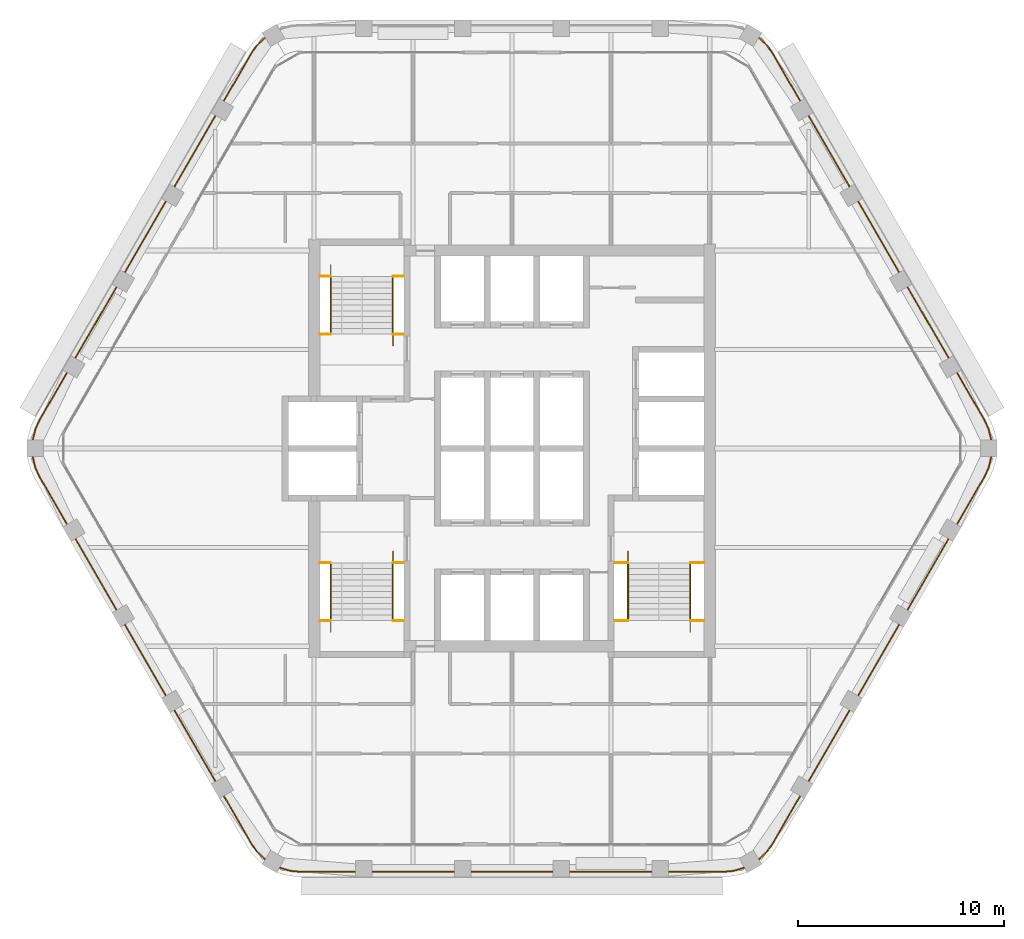
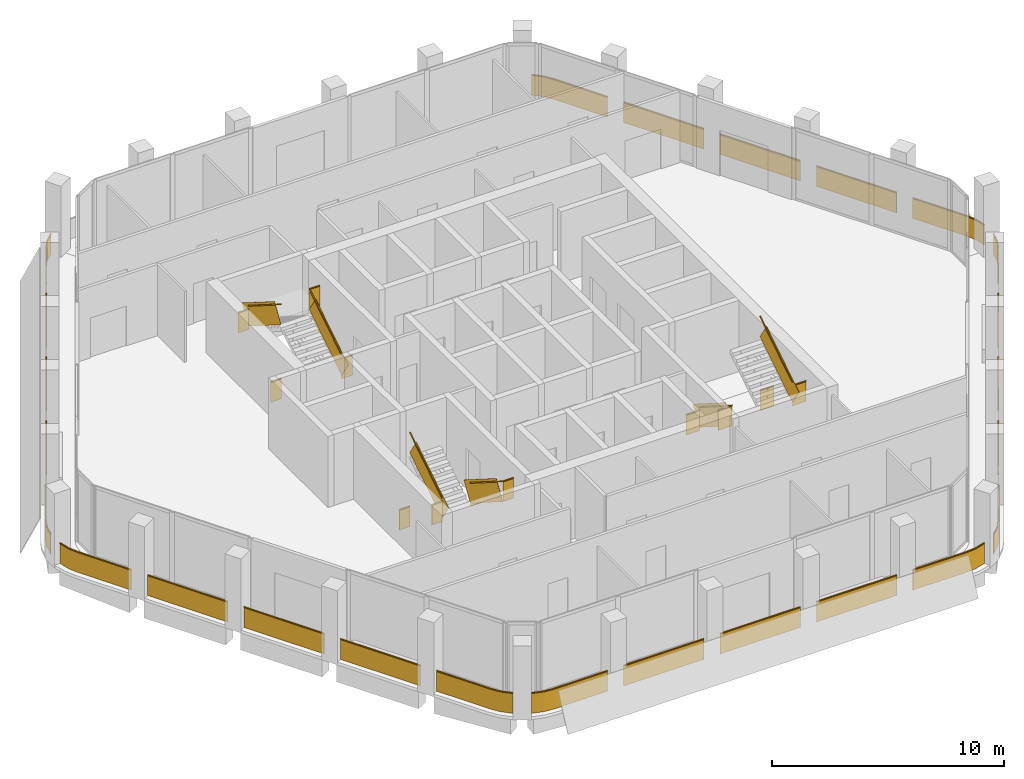
# One storey, part 13 of 14: 11 railings.
"""IFC4 building model written with IfcOpenShell, lengths in metres."""

from ifc_helpers import new_model, si_unit, direction, frame, frame_2d, origin, origin_2d, place, context, subcontext, project, spatial, rectangle, extrude, material, type_object, element, save


model = new_model("IFC4")

# Units and contexts
model_context = context("Model", 3, precision=1e-05, world=origin(), true_north=direction((0.0, 1.0)))
body_context = subcontext(model_context, "Body", "Model", "MODEL_VIEW")
ifc_project = project(units=[si_unit("LENGTHUNIT", "METRE"), si_unit("AREAUNIT", "SQUARE_METRE"), si_unit("VOLUMEUNIT", "CUBIC_METRE"), si_unit("PLANEANGLEUNIT", "RADIAN"), si_unit("MASSUNIT", "GRAM", prefix="KILO")], contexts=[model_context])

# Site, building, storey
site_placement = place(None, origin())
site = spatial("IfcSite", under=ifc_project, at=site_placement, CompositionType="ELEMENT")
building_placement = place(site_placement, origin())
building = spatial("IfcBuilding", under=site, at=building_placement, Name="Kolab Exchange Tower", CompositionType="ELEMENT")
storey_placement = place(building_placement, frame((0.0, 0.0, 246.199951171875)))
storey = spatial("IfcBuildingStorey", under=building, at=storey_placement, Name="L54", CompositionType="ELEMENT", Elevation=246.199951171875)

# Railings
ifc_material_1 = material(Name="Stainless steel 316", Category="steel")
railing_type_1 = type_object("IfcRailingType", Name="GUARD 1100", PredefinedType="GUARDRAIL", material=ifc_material_1)
railing_1_placement = place(storey_placement, frame((-9.324951171875, 5.550048828125, 0.0)))
element("IfcRailing", 1, at=railing_1_placement, inside=storey, type_object=railing_type_1, Name="Guard ST1", PredefinedType="GUARDRAIL", context=body_context, shape_type="SweptSolid", body=[
    extrude(rectangle(XDim=0.05, YDim=0.05, at=origin_2d()), frame((0.0, 0.0, 1.0751953125), z_axis=(1.0, 0.0, 0.0), x_axis=(0.0, 1.0, 0.0)), (0.0, 0.0, 1.0), 0.52734375),
    extrude(rectangle(XDim=0.012, YDim=1.05009765625, at=frame_2d((0.0, 0.525146484375))), frame((0.0, 0.0, 0.0), z_axis=(1.0, 0.0, 0.0), x_axis=(0.0, 1.0, 0.0)), (0.0, 0.0, 1.0), 0.52734375),
    extrude(rectangle(XDim=0.05, YDim=0.05, at=origin_2d()), frame((3.54736328125, 0.0, 1.0751953125), z_axis=(1.0, 0.0, 0.0), x_axis=(0.0, 1.0, 0.0)), (0.0, 0.0, 1.0), 0.527587890625),
    extrude(rectangle(XDim=0.012, YDim=1.05009765625, at=frame_2d((0.0, 0.525146484375))), frame((3.54736328125, 0.0, 0.0), z_axis=(1.0, 0.0, 0.0), x_axis=(0.0, 1.0, 0.0)), (0.0, 0.0, 1.0), 0.527587890625),
    extrude(rectangle(XDim=0.05, YDim=0.05, at=origin_2d()), frame((0.0, 2.800048828125, 3.025146484375), z_axis=(1.0, 0.0, 0.0), x_axis=(0.0, 1.0, 0.0)), (0.0, 0.0, 1.0), 0.52734375),
    extrude(rectangle(XDim=0.012, YDim=1.05009765625, at=frame_2d((0.0, 0.525146484375))), frame((0.0, 2.800048828125, 1.949951171875), z_axis=(1.0, 0.0, 0.0), x_axis=(0.0, 1.0, 0.0)), (0.0, 0.0, 1.0), 0.52734375),
    extrude(rectangle(XDim=0.05, YDim=0.05, at=origin_2d()), frame((3.54736328125, 2.800048828125, 3.025146484375), z_axis=(1.0, 0.0, 0.0), x_axis=(0.0, 1.0, 0.0)), (0.0, 0.0, 1.0), 0.527587890625),
    extrude(rectangle(XDim=0.012, YDim=1.05009765625, at=frame_2d((0.0, 0.525146484375))), frame((3.54736328125, 2.800048828125, 1.949951171875), z_axis=(1.0, 0.0, 0.0), x_axis=(0.0, 1.0, 0.0)), (0.0, 0.0, 1.0), 0.527587890625),
])
railing_2_placement = place(storey_placement, frame((-5.777587890625, 5.550048828125, 0.17724609375)))
element("IfcRailing", 2, at=railing_2_placement, inside=storey, type_object=railing_type_1, Name="Handrail guard ST1", PredefinedType="GUARDRAIL", context=body_context, shape_type="SweptSolid", body=[
    extrude(rectangle(XDim=0.05, YDim=0.05, at=origin_2d()), frame((0.0, 0.0, 1.0751953125), z_axis=(0.0, 0.844908973607, 0.534910110503), x_axis=(-1.0, 0.0, 0.0)), (0.0, 0.0, 1.0), 3.31396484375),
    extrude(rectangle(XDim=0.012, YDim=1.05009765625, at=frame_2d((0.0, 0.525146484375))), frame((0.0, 0.0, 0.0), z_axis=(0.0, 0.844908973607, 0.534910110503), x_axis=(-1.0, 0.0, 0.0)), (0.0, 0.0, 1.0), 3.31396484375),
    extrude(rectangle(XDim=0.05, YDim=0.05, at=origin_2d()), frame((-3.02001953125, 2.800048828125, 3.025390625), z_axis=(0.0, -0.844908973607, 0.534910110503), x_axis=(1.0, 0.0, 0.0)), (0.0, 0.0, 1.0), 3.31396484375),
    extrude(rectangle(XDim=0.012, YDim=1.05009765625, at=frame_2d((0.0, 0.525146484375))), frame((-3.02001953125, 2.800048828125, 1.9501953125), z_axis=(0.0, -0.844908973607, 0.534910110503), x_axis=(1.0, 0.0, 0.0)), (0.0, 0.0, 1.0), 3.31396484375),
])
railing_3_placement = place(storey_placement, frame((-9.324951171875, -5.550048828125, 0.0)))
element("IfcRailing", 3, at=railing_3_placement, inside=storey, type_object=railing_type_1, Name="Guard ST3", PredefinedType="GUARDRAIL", context=body_context, shape_type="SweptSolid", body=[
    extrude(rectangle(XDim=0.05, YDim=0.05, at=origin_2d()), frame((0.0, 0.0, 1.0751953125), z_axis=(1.0, 0.0, 0.0), x_axis=(0.0, 1.0, 0.0)), (0.0, 0.0, 1.0), 0.52734375),
    extrude(rectangle(XDim=0.012, YDim=1.05009765625, at=frame_2d((0.0, 0.525146484375))), frame((0.0, 0.0, 0.0), z_axis=(1.0, 0.0, 0.0), x_axis=(0.0, 1.0, 0.0)), (0.0, 0.0, 1.0), 0.52734375),
    extrude(rectangle(XDim=0.05, YDim=0.05, at=origin_2d()), frame((3.54736328125, 0.0, 1.0751953125), z_axis=(1.0, 0.0, 0.0), x_axis=(0.0, 1.0, 0.0)), (0.0, 0.0, 1.0), 0.527587890625),
    extrude(rectangle(XDim=0.012, YDim=1.05009765625, at=frame_2d((0.0, 0.525146484375))), frame((3.54736328125, 0.0, 0.0), z_axis=(1.0, 0.0, 0.0), x_axis=(0.0, 1.0, 0.0)), (0.0, 0.0, 1.0), 0.527587890625),
    extrude(rectangle(XDim=0.05, YDim=0.05, at=origin_2d()), frame((0.0, -2.800048828125, 3.025146484375), z_axis=(1.0, 0.0, 0.0), x_axis=(0.0, 1.0, 0.0)), (0.0, 0.0, 1.0), 0.52734375),
    extrude(rectangle(XDim=0.012, YDim=1.05009765625, at=frame_2d((0.0, 0.525146484375))), frame((0.0, -2.800048828125, 1.949951171875), z_axis=(1.0, 0.0, 0.0), x_axis=(0.0, 1.0, 0.0)), (0.0, 0.0, 1.0), 0.52734375),
    extrude(rectangle(XDim=0.05, YDim=0.05, at=origin_2d()), frame((3.54736328125, -2.800048828125, 3.025146484375), z_axis=(1.0, 0.0, 0.0), x_axis=(0.0, 1.0, 0.0)), (0.0, 0.0, 1.0), 0.527587890625),
    extrude(rectangle(XDim=0.012, YDim=1.05009765625, at=frame_2d((0.0, 0.525146484375))), frame((3.54736328125, -2.800048828125, 1.949951171875), z_axis=(1.0, 0.0, 0.0), x_axis=(0.0, 1.0, 0.0)), (0.0, 0.0, 1.0), 0.527587890625),
])
railing_4_placement = place(storey_placement, frame((-5.777587890625, -5.550048828125, 0.17724609375)))
element("IfcRailing", 4, at=railing_4_placement, inside=storey, type_object=railing_type_1, Name="Handrail guard ST3", PredefinedType="GUARDRAIL", context=body_context, shape_type="SweptSolid", body=[
    extrude(rectangle(XDim=0.05, YDim=0.05, at=origin_2d()), frame((0.0, 0.0, 1.0751953125), z_axis=(0.0, -0.844908973607, 0.534910110503), x_axis=(1.0, 0.0, 0.0)), (0.0, 0.0, 1.0), 3.31396484375),
    extrude(rectangle(XDim=0.012, YDim=1.05009765625, at=frame_2d((0.0, 0.525146484375))), frame((0.0, 0.0, 0.0), z_axis=(0.0, -0.844908973607, 0.534910110503), x_axis=(1.0, 0.0, 0.0)), (0.0, 0.0, 1.0), 3.31396484375),
    extrude(rectangle(XDim=0.05, YDim=0.05, at=origin_2d()), frame((-3.02001953125, -2.800048828125, 3.025390625), z_axis=(0.0, 0.844908973607, 0.534910110503), x_axis=(-1.0, 0.0, 0.0)), (0.0, 0.0, 1.0), 3.31396484375),
    extrude(rectangle(XDim=0.012, YDim=1.05009765625, at=frame_2d((0.0, 0.525146484375))), frame((-3.02001953125, -2.800048828125, 1.9501953125), z_axis=(0.0, 0.844908973607, 0.534910110503), x_axis=(-1.0, 0.0, 0.0)), (0.0, 0.0, 1.0), 3.31396484375),
])
railing_5_placement = place(storey_placement, frame((4.949951171875, -5.550048828125, 0.0)))
element("IfcRailing", 5, at=railing_5_placement, inside=storey, type_object=railing_type_1, Name="Guard ST2", PredefinedType="GUARDRAIL", context=body_context, shape_type="SweptSolid", body=[
    extrude(rectangle(XDim=0.05, YDim=0.05, at=origin_2d()), frame((0.0, 0.0, 1.0751953125), z_axis=(1.0, 0.0, 0.0), x_axis=(0.0, 1.0, 0.0)), (0.0, 0.0, 1.0), 0.677490234375),
    extrude(rectangle(XDim=0.012, YDim=1.05009765625, at=frame_2d((0.0, 0.525146484375))), frame((0.0, 0.0, 0.0), z_axis=(1.0, 0.0, 0.0), x_axis=(0.0, 1.0, 0.0)), (0.0, 0.0, 1.0), 0.677490234375),
    extrude(rectangle(XDim=0.05, YDim=0.05, at=origin_2d()), frame((3.697509765625, 0.0, 1.0751953125), z_axis=(1.0, 0.0, 0.0), x_axis=(0.0, 1.0, 0.0)), (0.0, 0.0, 1.0), 0.677490234375),
    extrude(rectangle(XDim=0.012, YDim=1.05009765625, at=frame_2d((0.0, 0.525146484375))), frame((3.697509765625, 0.0, 0.0), z_axis=(1.0, 0.0, 0.0), x_axis=(0.0, 1.0, 0.0)), (0.0, 0.0, 1.0), 0.677490234375),
    extrude(rectangle(XDim=0.05, YDim=0.05, at=origin_2d()), frame((0.0, -2.800048828125, 3.025146484375), z_axis=(1.0, 0.0, 0.0), x_axis=(0.0, 1.0, 0.0)), (0.0, 0.0, 1.0), 0.677490234375),
    extrude(rectangle(XDim=0.012, YDim=1.05009765625, at=frame_2d((0.0, 0.525146484375))), frame((0.0, -2.800048828125, 1.949951171875), z_axis=(1.0, 0.0, 0.0), x_axis=(0.0, 1.0, 0.0)), (0.0, 0.0, 1.0), 0.677490234375),
    extrude(rectangle(XDim=0.05, YDim=0.05, at=origin_2d()), frame((3.697509765625, -2.800048828125, 3.025146484375), z_axis=(1.0, 0.0, 0.0), x_axis=(0.0, 1.0, 0.0)), (0.0, 0.0, 1.0), 0.677490234375),
    extrude(rectangle(XDim=0.012, YDim=1.05009765625, at=frame_2d((0.0, 0.525146484375))), frame((3.697509765625, -2.800048828125, 1.949951171875), z_axis=(1.0, 0.0, 0.0), x_axis=(0.0, 1.0, 0.0)), (0.0, 0.0, 1.0), 0.677490234375),
])
railing_6_placement = place(storey_placement, frame((5.62744140625, -5.550048828125, 0.17724609375)))
element("IfcRailing", 6, at=railing_6_placement, inside=storey, type_object=railing_type_1, Name="Handrail guard ST2", PredefinedType="GUARDRAIL", context=body_context, shape_type="SweptSolid", body=[
    extrude(rectangle(XDim=0.05, YDim=0.05, at=origin_2d()), frame((0.0, 0.0, 1.0751953125), z_axis=(0.0, -0.844908973607, 0.534910110503), x_axis=(1.0, 0.0, 0.0)), (0.0, 0.0, 1.0), 3.31396484375),
    extrude(rectangle(XDim=0.012, YDim=1.05009765625, at=frame_2d((0.0, 0.525146484375))), frame((0.0, 0.0, 0.0), z_axis=(0.0, -0.844908973607, 0.534910110503), x_axis=(1.0, 0.0, 0.0)), (0.0, 0.0, 1.0), 3.31396484375),
    extrude(rectangle(XDim=0.05, YDim=0.05, at=origin_2d()), frame((3.02001953125, -2.800048828125, 3.025390625), z_axis=(0.0, 0.844908973607, 0.534910110503), x_axis=(-1.0, 0.0, 0.0)), (0.0, 0.0, 1.0), 3.31396484375),
    extrude(rectangle(XDim=0.012, YDim=1.05009765625, at=frame_2d((0.0, 0.525146484375))), frame((3.02001953125, -2.800048828125, 1.9501953125), z_axis=(0.0, 0.844908973607, 0.534910110503), x_axis=(-1.0, 0.0, 0.0)), (0.0, 0.0, 1.0), 3.31396484375),
])
ifc_material_2 = material(Name="Steel S235", Category="steel")
railing_type_2 = type_object("IfcRailingType", Name="GUARD 1100 GLASS BALUSTRADE AND STEEL TOP RAIL", PredefinedType="GUARDRAIL", material=ifc_material_2)
railing_7_placement = place(storey_placement, frame((23.2509765625, 0.3984375, 0.0)))
element("IfcRailing", 7, at=railing_7_placement, inside=storey, type_object=railing_type_2, Name="Guard", PredefinedType="GUARDRAIL", context=body_context, shape_type="SweptSolid", body=[
    extrude(rectangle(XDim=0.05, YDim=0.05, at=origin_2d()), frame((0.0, 0.0, 1.0751953125), z_axis=(-0.234597748196, 0.972092534968, 0.0), x_axis=(-0.972092534968, -0.234597748196, 0.0)), (0.0, 0.0, 1.0), 0.557861328125),
    extrude(rectangle(XDim=0.012, YDim=1.05009765625, at=frame_2d((0.0, 0.525146484375))), frame((0.0, 0.0, 0.0), z_axis=(-0.234597748196, 0.972092534968, 0.0), x_axis=(-0.972092534968, -0.234597748196, 0.0)), (0.0, 0.0, 1.0), 0.557861328125),
    extrude(rectangle(XDim=0.05, YDim=0.05, at=origin_2d()), frame((-0.130859375, 0.542236328125, 1.0751953125), z_axis=(-0.422801802984, 0.906222177721, 0.0), x_axis=(-0.906222177721, -0.422801802984, 0.0)), (0.0, 0.0, 1.0), 0.479248046875),
    extrude(rectangle(XDim=0.012, YDim=1.05009765625, at=frame_2d((0.0, 0.525146484375))), frame((-0.130859375, 0.542236328125, 0.0), z_axis=(-0.422801802984, 0.906222177721, 0.0), x_axis=(-0.906222177721, -0.422801802984, 0.0)), (0.0, 0.0, 1.0), 0.479248046875),
    extrude(rectangle(XDim=0.05, YDim=0.05, at=origin_2d()), frame((-0.33349609375, 0.9765625, 1.0751953125), z_axis=(-0.499997052475, 0.866027105532, 0.0), x_axis=(-0.866027105532, -0.499997052475, 0.0)), (0.0, 0.0, 1.0), 2.66796875),
    extrude(rectangle(XDim=0.012, YDim=1.05009765625, at=frame_2d((0.0, 0.525146484375))), frame((-0.33349609375, 0.9765625, 0.0), z_axis=(-0.499997052475, 0.866027105532, 0.0), x_axis=(-0.866027105532, -0.499997052475, 0.0)), (0.0, 0.0, 1.0), 2.66796875),
    extrude(rectangle(XDim=0.05, YDim=0.05, at=origin_2d()), frame((-2.0673828125, 3.97998046875, 1.0751953125), z_axis=(-0.49999894854, 0.866026010844, 0.0), x_axis=(-0.866026010844, -0.49999894854, 0.0)), (0.0, 0.0, 1.0), 4.0),
    extrude(rectangle(XDim=0.012, YDim=1.05009765625, at=frame_2d((0.0, 0.525146484375))), frame((-2.0673828125, 3.97998046875, 0.0), z_axis=(-0.49999894854, 0.866026010844, 0.0), x_axis=(-0.866026010844, -0.49999894854, 0.0)), (0.0, 0.0, 1.0), 4.0),
    extrude(rectangle(XDim=0.05, YDim=0.05, at=origin_2d()), frame((-4.467529296875, 8.13671875, 1.0751953125), z_axis=(-0.49999894854, 0.866026010844, 0.0), x_axis=(-0.866026010844, -0.49999894854, 0.0)), (0.0, 0.0, 1.0), 4.0),
    extrude(rectangle(XDim=0.012, YDim=1.05009765625, at=frame_2d((0.0, 0.525146484375))), frame((-4.467529296875, 8.13671875, 0.0), z_axis=(-0.49999894854, 0.866026010844, 0.0), x_axis=(-0.866026010844, -0.49999894854, 0.0)), (0.0, 0.0, 1.0), 4.0),
    extrude(rectangle(XDim=0.05, YDim=0.05, at=origin_2d()), frame((-6.867431640625, 12.293701171875, 1.0751953125), z_axis=(-0.49999894854, 0.866026010844, 0.0), x_axis=(-0.866026010844, -0.49999894854, 0.0)), (0.0, 0.0, 1.0), 4.0),
    extrude(rectangle(XDim=0.012, YDim=1.05009765625, at=frame_2d((0.0, 0.525146484375))), frame((-6.867431640625, 12.293701171875, 0.0), z_axis=(-0.49999894854, 0.866026010844, 0.0), x_axis=(-0.866026010844, -0.49999894854, 0.0)), (0.0, 0.0, 1.0), 4.0),
    extrude(rectangle(XDim=0.05, YDim=0.05, at=origin_2d()), frame((-9.267578125, 16.45068359375, 1.0751953125), z_axis=(-0.499997052475, 0.866027105532, 0.0), x_axis=(-0.866027105532, -0.499997052475, 0.0)), (0.0, 0.0, 1.0), 2.66796875),
    extrude(rectangle(XDim=0.012, YDim=1.05009765625, at=frame_2d((0.0, 0.525146484375))), frame((-9.267578125, 16.45068359375, 0.0), z_axis=(-0.499997052475, 0.866027105532, 0.0), x_axis=(-0.866027105532, -0.499997052475, 0.0)), (0.0, 0.0, 1.0), 2.66796875),
    extrude(rectangle(XDim=0.05, YDim=0.05, at=origin_2d()), frame((-10.6015625, 18.76123046875, 1.0751953125), z_axis=(-0.573599091554, 0.819136180478, 0.0), x_axis=(-0.819136180478, -0.573599091554, 0.0)), (0.0, 0.0, 1.0), 0.479248046875),
    extrude(rectangle(XDim=0.012, YDim=1.05009765625, at=frame_2d((0.0, 0.525146484375))), frame((-10.6015625, 18.76123046875, 0.0), z_axis=(-0.573599091554, 0.819136180478, 0.0), x_axis=(-0.819136180478, -0.573599091554, 0.0)), (0.0, 0.0, 1.0), 0.479248046875),
    extrude(rectangle(XDim=0.05, YDim=0.05, at=origin_2d()), frame((-10.87646484375, 19.15380859375, 1.0751953125), z_axis=(-0.724189990991, 0.689600505327, 0.0), x_axis=(-0.689600505327, -0.724189990991, 0.0)), (0.0, 0.0, 1.0), 0.5576171875),
    extrude(rectangle(XDim=0.012, YDim=1.05009765625, at=frame_2d((0.0, 0.525146484375))), frame((-10.87646484375, 19.15380859375, 0.0), z_axis=(-0.724189990991, 0.689600505327, 0.0), x_axis=(-0.689600505327, -0.724189990991, 0.0)), (0.0, 0.0, 1.0), 0.5576171875),
])
railing_8_placement = place(storey_placement, frame((11.970703125, -19.936767578125, 0.0)))
element("IfcRailing", 8, at=railing_8_placement, inside=storey, type_object=railing_type_2, Name="Guard", PredefinedType="GUARDRAIL", context=body_context, shape_type="SweptSolid", body=[
    extrude(rectangle(XDim=0.05, YDim=0.05, at=origin_2d()), frame((0.0, 0.0, 1.0751953125), z_axis=(0.724189990991, 0.689600505327, 0.0), x_axis=(-0.689600505327, 0.724189990991, 0.0)), (0.0, 0.0, 1.0), 0.5576171875),
    extrude(rectangle(XDim=0.012, YDim=1.05009765625, at=frame_2d((0.0, 0.525146484375))), frame((0.0, 0.0, 0.0), z_axis=(0.724189990991, 0.689600505327, 0.0), x_axis=(-0.689600505327, 0.724189990991, 0.0)), (0.0, 0.0, 1.0), 0.5576171875),
    extrude(rectangle(XDim=0.05, YDim=0.05, at=origin_2d()), frame((0.40380859375, 0.384521484375, 1.0751953125), z_axis=(0.573599091554, 0.819136180478, 0.0), x_axis=(-0.819136180478, 0.573599091554, 0.0)), (0.0, 0.0, 1.0), 0.479248046875),
    extrude(rectangle(XDim=0.012, YDim=1.05009765625, at=frame_2d((0.0, 0.525146484375))), frame((0.40380859375, 0.384521484375, 0.0), z_axis=(0.573599091554, 0.819136180478, 0.0), x_axis=(-0.819136180478, 0.573599091554, 0.0)), (0.0, 0.0, 1.0), 0.479248046875),
    extrude(rectangle(XDim=0.05, YDim=0.05, at=origin_2d()), frame((0.6787109375, 0.777099609375, 1.0751953125), z_axis=(0.499997052475, 0.866027105532, 0.0), x_axis=(-0.866027105532, 0.499997052475, 0.0)), (0.0, 0.0, 1.0), 2.66796875),
    extrude(rectangle(XDim=0.012, YDim=1.05009765625, at=frame_2d((0.0, 0.525146484375))), frame((0.6787109375, 0.777099609375, 0.0), z_axis=(0.499997052475, 0.866027105532, 0.0), x_axis=(-0.866027105532, 0.499997052475, 0.0)), (0.0, 0.0, 1.0), 2.66796875),
    extrude(rectangle(XDim=0.05, YDim=0.05, at=origin_2d()), frame((2.412841796875, 3.780517578125, 1.0751953125), z_axis=(0.49999894854, 0.866026010844, 0.0), x_axis=(-0.866026010844, 0.49999894854, 0.0)), (0.0, 0.0, 1.0), 4.0),
    extrude(rectangle(XDim=0.012, YDim=1.05009765625, at=frame_2d((0.0, 0.525146484375))), frame((2.412841796875, 3.780517578125, 0.0), z_axis=(0.49999894854, 0.866026010844, 0.0), x_axis=(-0.866026010844, 0.49999894854, 0.0)), (0.0, 0.0, 1.0), 4.0),
    extrude(rectangle(XDim=0.05, YDim=0.05, at=origin_2d()), frame((4.812744140625, 7.9375, 1.0751953125), z_axis=(0.49999894854, 0.866026010844, 0.0), x_axis=(-0.866026010844, 0.49999894854, 0.0)), (0.0, 0.0, 1.0), 4.0),
    extrude(rectangle(XDim=0.012, YDim=1.05009765625, at=frame_2d((0.0, 0.525146484375))), frame((4.812744140625, 7.9375, 0.0), z_axis=(0.49999894854, 0.866026010844, 0.0), x_axis=(-0.866026010844, 0.49999894854, 0.0)), (0.0, 0.0, 1.0), 4.0),
    extrude(rectangle(XDim=0.05, YDim=0.05, at=origin_2d()), frame((7.212890625, 12.09423828125, 1.0751953125), z_axis=(0.49999894854, 0.866026010844, 0.0), x_axis=(-0.866026010844, 0.49999894854, 0.0)), (0.0, 0.0, 1.0), 4.0),
    extrude(rectangle(XDim=0.012, YDim=1.05009765625, at=frame_2d((0.0, 0.525146484375))), frame((7.212890625, 12.09423828125, 0.0), z_axis=(0.49999894854, 0.866026010844, 0.0), x_axis=(-0.866026010844, 0.49999894854, 0.0)), (0.0, 0.0, 1.0), 4.0),
    extrude(rectangle(XDim=0.05, YDim=0.05, at=origin_2d()), frame((9.61279296875, 16.251220703125, 1.0751953125), z_axis=(0.499997052475, 0.866027105532, 0.0), x_axis=(-0.866027105532, 0.499997052475, 0.0)), (0.0, 0.0, 1.0), 2.66796875),
    extrude(rectangle(XDim=0.012, YDim=1.05009765625, at=frame_2d((0.0, 0.525146484375))), frame((9.61279296875, 16.251220703125, 0.0), z_axis=(0.499997052475, 0.866027105532, 0.0), x_axis=(-0.866027105532, 0.499997052475, 0.0)), (0.0, 0.0, 1.0), 2.66796875),
    extrude(rectangle(XDim=0.05, YDim=0.05, at=origin_2d()), frame((10.94677734375, 18.561767578125, 1.0751953125), z_axis=(0.422801802984, 0.906222177721, 0.0), x_axis=(-0.906222177721, 0.422801802984, 0.0)), (0.0, 0.0, 1.0), 0.479248046875),
    extrude(rectangle(XDim=0.012, YDim=1.05009765625, at=frame_2d((0.0, 0.525146484375))), frame((10.94677734375, 18.561767578125, 0.0), z_axis=(0.422801802984, 0.906222177721, 0.0), x_axis=(-0.906222177721, 0.422801802984, 0.0)), (0.0, 0.0, 1.0), 0.479248046875),
    extrude(rectangle(XDim=0.05, YDim=0.05, at=origin_2d()), frame((11.1494140625, 18.99609375, 1.0751953125), z_axis=(0.234597748196, 0.972092534968, 0.0), x_axis=(-0.972092534968, 0.234597748196, 0.0)), (0.0, 0.0, 1.0), 0.557861328125),
    extrude(rectangle(XDim=0.012, YDim=1.05009765625, at=frame_2d((0.0, 0.525146484375))), frame((11.1494140625, 18.99609375, 0.0), z_axis=(0.234597748196, 0.972092534968, 0.0), x_axis=(-0.972092534968, 0.234597748196, 0.0)), (0.0, 0.0, 1.0), 0.557861328125),
])
railing_9_placement = place(storey_placement, frame((-11.280517578125, -20.335205078125, 0.0)))
element("IfcRailing", 9, at=railing_9_placement, inside=storey, type_object=railing_type_2, Name="Guard", PredefinedType="GUARDRAIL", context=body_context, shape_type="SweptSolid", body=[
    extrude(rectangle(XDim=0.05, YDim=0.05, at=origin_2d()), frame((0.0, 0.0, 1.0751953125), z_axis=(0.959212061764, -0.282687496304, 0.0), x_axis=(0.282687496304, 0.959212061764, 0.0)), (0.0, 0.0, 1.0), 0.557861328125),
    extrude(rectangle(XDim=0.012, YDim=1.05009765625, at=frame_2d((0.0, 0.525146484375))), frame((0.0, 0.0, 0.0), z_axis=(0.959212061764, -0.282687496304, 0.0), x_axis=(0.282687496304, 0.959212061764, 0.0)), (0.0, 0.0, 1.0), 0.557861328125),
    extrude(rectangle(XDim=0.05, YDim=0.05, at=origin_2d()), frame((0.53515625, -0.15771484375, 1.0751953125), z_axis=(0.996196482496, -0.087135344505, 0.0), x_axis=(0.087135344505, 0.996196482496, 0.0)), (0.0, 0.0, 1.0), 0.47900390625),
    extrude(rectangle(XDim=0.012, YDim=1.05009765625, at=frame_2d((0.0, 0.525146484375))), frame((0.53515625, -0.15771484375, 0.0), z_axis=(0.996196482496, -0.087135344505, 0.0), x_axis=(0.087135344505, 0.996196482496, 0.0)), (0.0, 0.0, 1.0), 0.47900390625),
    extrude(rectangle(XDim=0.05, YDim=0.05, at=origin_2d()), frame((1.012451171875, -0.199462890625, 1.0751953125), z_axis=(1.0, 0.0, 0.0), x_axis=(0.0, 1.0, 0.0)), (0.0, 0.0, 1.0), 2.66796875),
    extrude(rectangle(XDim=0.012, YDim=1.05009765625, at=frame_2d((0.0, 0.525146484375))), frame((1.012451171875, -0.199462890625, 0.0), z_axis=(1.0, 0.0, 0.0), x_axis=(0.0, 1.0, 0.0)), (0.0, 0.0, 1.0), 2.66796875),
    extrude(rectangle(XDim=0.05, YDim=0.05, at=origin_2d()), frame((4.48046875, -0.199462890625, 1.0751953125), z_axis=(1.0, 0.0, 0.0), x_axis=(0.0, 1.0, 0.0)), (0.0, 0.0, 1.0), 4.0),
    extrude(rectangle(XDim=0.012, YDim=1.05009765625, at=frame_2d((0.0, 0.525146484375))), frame((4.48046875, -0.199462890625, 0.0), z_axis=(1.0, 0.0, 0.0), x_axis=(0.0, 1.0, 0.0)), (0.0, 0.0, 1.0), 4.0),
    extrude(rectangle(XDim=0.05, YDim=0.05, at=origin_2d()), frame((9.280517578125, -0.199462890625, 1.0751953125), z_axis=(1.0, 0.0, 0.0), x_axis=(0.0, 1.0, 0.0)), (0.0, 0.0, 1.0), 4.0),
    extrude(rectangle(XDim=0.012, YDim=1.05009765625, at=frame_2d((0.0, 0.525146484375))), frame((9.280517578125, -0.199462890625, 0.0), z_axis=(1.0, 0.0, 0.0), x_axis=(0.0, 1.0, 0.0)), (0.0, 0.0, 1.0), 4.0),
    extrude(rectangle(XDim=0.05, YDim=0.05, at=origin_2d()), frame((14.08056640625, -0.199462890625, 1.0751953125), z_axis=(1.0, 0.0, 0.0), x_axis=(0.0, 1.0, 0.0)), (0.0, 0.0, 1.0), 4.0),
    extrude(rectangle(XDim=0.012, YDim=1.05009765625, at=frame_2d((0.0, 0.525146484375))), frame((14.08056640625, -0.199462890625, 0.0), z_axis=(1.0, 0.0, 0.0), x_axis=(0.0, 1.0, 0.0)), (0.0, 0.0, 1.0), 4.0),
    extrude(rectangle(XDim=0.05, YDim=0.05, at=origin_2d()), frame((18.880615234375, -0.199462890625, 1.0751953125), z_axis=(1.0, 0.0, 0.0), x_axis=(0.0, 1.0, 0.0)), (0.0, 0.0, 1.0), 2.66796875),
    extrude(rectangle(XDim=0.012, YDim=1.05009765625, at=frame_2d((0.0, 0.525146484375))), frame((18.880615234375, -0.199462890625, 0.0), z_axis=(1.0, 0.0, 0.0), x_axis=(0.0, 1.0, 0.0)), (0.0, 0.0, 1.0), 2.66796875),
    extrude(rectangle(XDim=0.05, YDim=0.05, at=origin_2d()), frame((21.548583984375, -0.199462890625, 1.0751953125), z_axis=(0.996196482496, 0.087135344505, 0.0), x_axis=(-0.087135344505, 0.996196482496, 0.0)), (0.0, 0.0, 1.0), 0.47900390625),
    extrude(rectangle(XDim=0.012, YDim=1.05009765625, at=frame_2d((0.0, 0.525146484375))), frame((21.548583984375, -0.199462890625, 0.0), z_axis=(0.996196482496, 0.087135344505, 0.0), x_axis=(-0.087135344505, 0.996196482496, 0.0)), (0.0, 0.0, 1.0), 0.47900390625),
    extrude(rectangle(XDim=0.05, YDim=0.05, at=origin_2d()), frame((22.02587890625, -0.15771484375, 1.0751953125), z_axis=(0.959212061764, 0.282687496304, 0.0), x_axis=(-0.282687496304, 0.959212061764, 0.0)), (0.0, 0.0, 1.0), 0.557861328125),
    extrude(rectangle(XDim=0.012, YDim=1.05009765625, at=frame_2d((0.0, 0.525146484375))), frame((22.02587890625, -0.15771484375, 0.0), z_axis=(0.959212061764, 0.282687496304, 0.0), x_axis=(-0.282687496304, 0.959212061764, 0.0)), (0.0, 0.0, 1.0), 0.557861328125),
])
railing_10_placement = place(storey_placement, frame((-23.2509765625, -0.3984375, 0.0)))
element("IfcRailing", 10, at=railing_10_placement, inside=storey, type_object=railing_type_2, Name="Guard", PredefinedType="GUARDRAIL", context=body_context, shape_type="SweptSolid", body=[
    extrude(rectangle(XDim=0.05, YDim=0.05, at=origin_2d()), frame((0.0, 0.0, 1.0751953125), z_axis=(0.234597748196, -0.972092534968, 0.0), x_axis=(0.972092534968, 0.234597748196, 0.0)), (0.0, 0.0, 1.0), 0.557861328125),
    extrude(rectangle(XDim=0.012, YDim=1.05009765625, at=frame_2d((0.0, 0.525146484375))), frame((0.0, 0.0, 0.0), z_axis=(0.234597748196, -0.972092534968, 0.0), x_axis=(0.972092534968, 0.234597748196, 0.0)), (0.0, 0.0, 1.0), 0.557861328125),
    extrude(rectangle(XDim=0.05, YDim=0.05, at=origin_2d()), frame((0.130859375, -0.542236328125, 1.0751953125), z_axis=(0.422801802984, -0.906222177721, 0.0), x_axis=(0.906222177721, 0.422801802984, 0.0)), (0.0, 0.0, 1.0), 0.479248046875),
    extrude(rectangle(XDim=0.012, YDim=1.05009765625, at=frame_2d((0.0, 0.525146484375))), frame((0.130859375, -0.542236328125, 0.0), z_axis=(0.422801802984, -0.906222177721, 0.0), x_axis=(0.906222177721, 0.422801802984, 0.0)), (0.0, 0.0, 1.0), 0.479248046875),
    extrude(rectangle(XDim=0.05, YDim=0.05, at=origin_2d()), frame((0.33349609375, -0.9765625, 1.0751953125), z_axis=(0.499997052475, -0.866027105532, 0.0), x_axis=(0.866027105532, 0.499997052475, 0.0)), (0.0, 0.0, 1.0), 2.66796875),
    extrude(rectangle(XDim=0.012, YDim=1.05009765625, at=frame_2d((0.0, 0.525146484375))), frame((0.33349609375, -0.9765625, 0.0), z_axis=(0.499997052475, -0.866027105532, 0.0), x_axis=(0.866027105532, 0.499997052475, 0.0)), (0.0, 0.0, 1.0), 2.66796875),
    extrude(rectangle(XDim=0.05, YDim=0.05, at=origin_2d()), frame((2.0673828125, -3.97998046875, 1.0751953125), z_axis=(0.49999894854, -0.866026010844, 0.0), x_axis=(0.866026010844, 0.49999894854, 0.0)), (0.0, 0.0, 1.0), 4.0),
    extrude(rectangle(XDim=0.012, YDim=1.05009765625, at=frame_2d((0.0, 0.525146484375))), frame((2.0673828125, -3.97998046875, 0.0), z_axis=(0.49999894854, -0.866026010844, 0.0), x_axis=(0.866026010844, 0.49999894854, 0.0)), (0.0, 0.0, 1.0), 4.0),
    extrude(rectangle(XDim=0.05, YDim=0.05, at=origin_2d()), frame((4.467529296875, -8.13671875, 1.0751953125), z_axis=(0.49999894854, -0.866026010844, 0.0), x_axis=(0.866026010844, 0.49999894854, 0.0)), (0.0, 0.0, 1.0), 4.0),
    extrude(rectangle(XDim=0.012, YDim=1.05009765625, at=frame_2d((0.0, 0.525146484375))), frame((4.467529296875, -8.13671875, 0.0), z_axis=(0.49999894854, -0.866026010844, 0.0), x_axis=(0.866026010844, 0.49999894854, 0.0)), (0.0, 0.0, 1.0), 4.0),
    extrude(rectangle(XDim=0.05, YDim=0.05, at=origin_2d()), frame((6.867431640625, -12.293701171875, 1.0751953125), z_axis=(0.49999894854, -0.866026010844, 0.0), x_axis=(0.866026010844, 0.49999894854, 0.0)), (0.0, 0.0, 1.0), 4.0),
    extrude(rectangle(XDim=0.012, YDim=1.05009765625, at=frame_2d((0.0, 0.525146484375))), frame((6.867431640625, -12.293701171875, 0.0), z_axis=(0.49999894854, -0.866026010844, 0.0), x_axis=(0.866026010844, 0.49999894854, 0.0)), (0.0, 0.0, 1.0), 4.0),
    extrude(rectangle(XDim=0.05, YDim=0.05, at=origin_2d()), frame((9.267578125, -16.45068359375, 1.0751953125), z_axis=(0.499997052475, -0.866027105532, 0.0), x_axis=(0.866027105532, 0.499997052475, 0.0)), (0.0, 0.0, 1.0), 2.66796875),
    extrude(rectangle(XDim=0.012, YDim=1.05009765625, at=frame_2d((0.0, 0.525146484375))), frame((9.267578125, -16.45068359375, 0.0), z_axis=(0.499997052475, -0.866027105532, 0.0), x_axis=(0.866027105532, 0.499997052475, 0.0)), (0.0, 0.0, 1.0), 2.66796875),
    extrude(rectangle(XDim=0.05, YDim=0.05, at=origin_2d()), frame((10.6015625, -18.76123046875, 1.0751953125), z_axis=(0.573599091554, -0.819136180478, 0.0), x_axis=(0.819136180478, 0.573599091554, 0.0)), (0.0, 0.0, 1.0), 0.479248046875),
    extrude(rectangle(XDim=0.012, YDim=1.05009765625, at=frame_2d((0.0, 0.525146484375))), frame((10.6015625, -18.76123046875, 0.0), z_axis=(0.573599091554, -0.819136180478, 0.0), x_axis=(0.819136180478, 0.573599091554, 0.0)), (0.0, 0.0, 1.0), 0.479248046875),
    extrude(rectangle(XDim=0.05, YDim=0.05, at=origin_2d()), frame((10.87646484375, -19.15380859375, 1.0751953125), z_axis=(0.724189990991, -0.689600505327, 0.0), x_axis=(0.689600505327, 0.724189990991, 0.0)), (0.0, 0.0, 1.0), 0.5576171875),
    extrude(rectangle(XDim=0.012, YDim=1.05009765625, at=frame_2d((0.0, 0.525146484375))), frame((10.87646484375, -19.15380859375, 0.0), z_axis=(0.724189990991, -0.689600505327, 0.0), x_axis=(0.689600505327, 0.724189990991, 0.0)), (0.0, 0.0, 1.0), 0.5576171875),
])
railing_11_placement = place(storey_placement, frame((-11.970703125, 19.936767578125, 0.0)))
element("IfcRailing", 11, at=railing_11_placement, inside=storey, type_object=railing_type_2, Name="Guard", PredefinedType="GUARDRAIL", context=body_context, shape_type="SweptSolid", body=[
    extrude(rectangle(XDim=0.05, YDim=0.05, at=origin_2d()), frame((0.0, 0.0, 1.0751953125), z_axis=(-0.724189990991, -0.689600505327, 0.0), x_axis=(0.689600505327, -0.724189990991, 0.0)), (0.0, 0.0, 1.0), 0.5576171875),
    extrude(rectangle(XDim=0.012, YDim=1.05009765625, at=frame_2d((0.0, 0.525146484375))), frame((0.0, 0.0, 0.0), z_axis=(-0.724189990991, -0.689600505327, 0.0), x_axis=(0.689600505327, -0.724189990991, 0.0)), (0.0, 0.0, 1.0), 0.5576171875),
    extrude(rectangle(XDim=0.05, YDim=0.05, at=origin_2d()), frame((-0.40380859375, -0.384521484375, 1.0751953125), z_axis=(-0.573599091554, -0.819136180478, 0.0), x_axis=(0.819136180478, -0.573599091554, 0.0)), (0.0, 0.0, 1.0), 0.479248046875),
    extrude(rectangle(XDim=0.012, YDim=1.05009765625, at=frame_2d((0.0, 0.525146484375))), frame((-0.40380859375, -0.384521484375, 0.0), z_axis=(-0.573599091554, -0.819136180478, 0.0), x_axis=(0.819136180478, -0.573599091554, 0.0)), (0.0, 0.0, 1.0), 0.479248046875),
    extrude(rectangle(XDim=0.05, YDim=0.05, at=origin_2d()), frame((-0.6787109375, -0.777099609375, 1.0751953125), z_axis=(-0.499997052475, -0.866027105532, 0.0), x_axis=(0.866027105532, -0.499997052475, 0.0)), (0.0, 0.0, 1.0), 2.66796875),
    extrude(rectangle(XDim=0.012, YDim=1.05009765625, at=frame_2d((0.0, 0.525146484375))), frame((-0.6787109375, -0.777099609375, 0.0), z_axis=(-0.499997052475, -0.866027105532, 0.0), x_axis=(0.866027105532, -0.499997052475, 0.0)), (0.0, 0.0, 1.0), 2.66796875),
    extrude(rectangle(XDim=0.05, YDim=0.05, at=origin_2d()), frame((-2.412841796875, -3.780517578125, 1.0751953125), z_axis=(-0.49999894854, -0.866026010844, 0.0), x_axis=(0.866026010844, -0.49999894854, 0.0)), (0.0, 0.0, 1.0), 4.0),
    extrude(rectangle(XDim=0.012, YDim=1.05009765625, at=frame_2d((0.0, 0.525146484375))), frame((-2.412841796875, -3.780517578125, 0.0), z_axis=(-0.49999894854, -0.866026010844, 0.0), x_axis=(0.866026010844, -0.49999894854, 0.0)), (0.0, 0.0, 1.0), 4.0),
    extrude(rectangle(XDim=0.05, YDim=0.05, at=origin_2d()), frame((-4.812744140625, -7.9375, 1.0751953125), z_axis=(-0.49999894854, -0.866026010844, 0.0), x_axis=(0.866026010844, -0.49999894854, 0.0)), (0.0, 0.0, 1.0), 4.0),
    extrude(rectangle(XDim=0.012, YDim=1.05009765625, at=frame_2d((0.0, 0.525146484375))), frame((-4.812744140625, -7.9375, 0.0), z_axis=(-0.49999894854, -0.866026010844, 0.0), x_axis=(0.866026010844, -0.49999894854, 0.0)), (0.0, 0.0, 1.0), 4.0),
    extrude(rectangle(XDim=0.05, YDim=0.05, at=origin_2d()), frame((-7.212890625, -12.09423828125, 1.0751953125), z_axis=(-0.49999894854, -0.866026010844, 0.0), x_axis=(0.866026010844, -0.49999894854, 0.0)), (0.0, 0.0, 1.0), 4.0),
    extrude(rectangle(XDim=0.012, YDim=1.05009765625, at=frame_2d((0.0, 0.525146484375))), frame((-7.212890625, -12.09423828125, 0.0), z_axis=(-0.49999894854, -0.866026010844, 0.0), x_axis=(0.866026010844, -0.49999894854, 0.0)), (0.0, 0.0, 1.0), 4.0),
    extrude(rectangle(XDim=0.05, YDim=0.05, at=origin_2d()), frame((-9.61279296875, -16.251220703125, 1.0751953125), z_axis=(-0.499997052475, -0.866027105532, 0.0), x_axis=(0.866027105532, -0.499997052475, 0.0)), (0.0, 0.0, 1.0), 2.66796875),
    extrude(rectangle(XDim=0.012, YDim=1.05009765625, at=frame_2d((0.0, 0.525146484375))), frame((-9.61279296875, -16.251220703125, 0.0), z_axis=(-0.499997052475, -0.866027105532, 0.0), x_axis=(0.866027105532, -0.499997052475, 0.0)), (0.0, 0.0, 1.0), 2.66796875),
    extrude(rectangle(XDim=0.05, YDim=0.05, at=origin_2d()), frame((-10.94677734375, -18.561767578125, 1.0751953125), z_axis=(-0.422801802984, -0.906222177721, 0.0), x_axis=(0.906222177721, -0.422801802984, 0.0)), (0.0, 0.0, 1.0), 0.479248046875),
    extrude(rectangle(XDim=0.012, YDim=1.05009765625, at=frame_2d((0.0, 0.525146484375))), frame((-10.94677734375, -18.561767578125, 0.0), z_axis=(-0.422801802984, -0.906222177721, 0.0), x_axis=(0.906222177721, -0.422801802984, 0.0)), (0.0, 0.0, 1.0), 0.479248046875),
    extrude(rectangle(XDim=0.05, YDim=0.05, at=origin_2d()), frame((-11.1494140625, -18.99609375, 1.0751953125), z_axis=(-0.234597748196, -0.972092534968, 0.0), x_axis=(0.972092534968, -0.234597748196, 0.0)), (0.0, 0.0, 1.0), 0.557861328125),
    extrude(rectangle(XDim=0.012, YDim=1.05009765625, at=frame_2d((0.0, 0.525146484375))), frame((-11.1494140625, -18.99609375, 0.0), z_axis=(-0.234597748196, -0.972092534968, 0.0), x_axis=(0.972092534968, -0.234597748196, 0.0)), (0.0, 0.0, 1.0), 0.557861328125),
])

save(model, "model.ifc")
